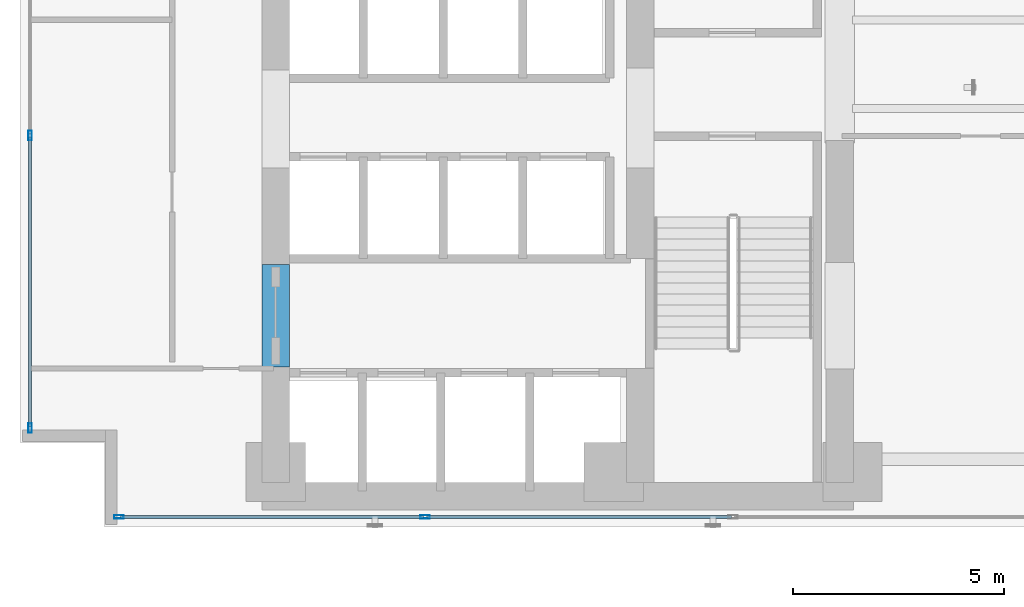
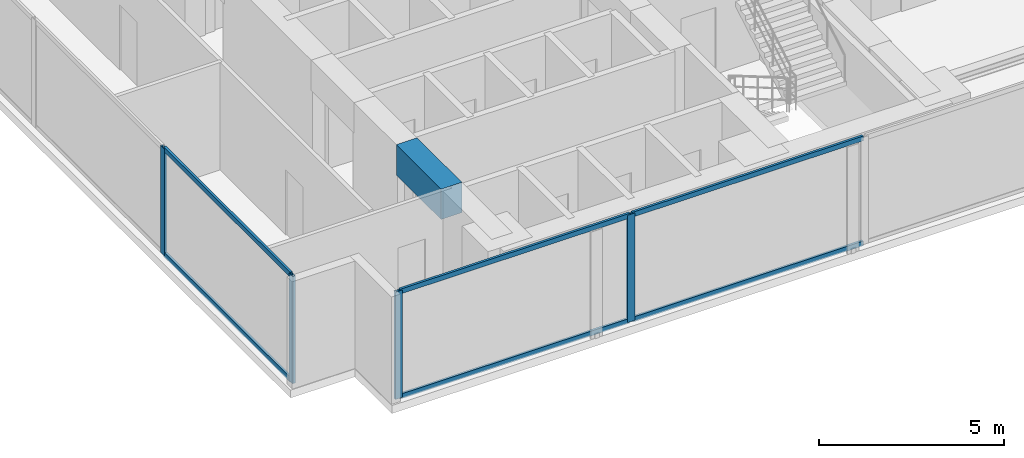
# One storey, part 2 of 26: 10 members, 1 beam, 2 elements without a shape of their own.
"""IFC4 building model written with IfcOpenShell, lengths in metres."""

import ifcopenshell
import ifcopenshell.guid

model = None  # the IFC model being written
_history = None  # IfcOwnerHistory: only IFC2X3 demands one
_inside = {}  # id of a spatial element -> (the spatial element, [elements in it])
_under = {}  # id of a project, library or spatial element -> (it, [spatial elements below it])
_declared = {}  # id of a project -> (the project, [libraries it declares])
_typed = {}  # id of a type object -> (the type object, [elements of that type])
_made_of = {}  # id of a material, layer set ... -> (it, [elements and type objects made of it])


def new_model(schema):
    """Start an empty IFC model of exactly this schema.

    Asked for "IFC4X3", IfcOpenShell would pick the latest addendum, in which some entities
    have other attributes; the version numbers below select the first issue.
    IFC2X3 requires an IfcOwnerHistory on every rooted entity: one is made here for all.
    """
    global model, _history
    if schema == "IFC4X3":
        model = ifcopenshell.file(schema_version=(4, 3, 0, 0))
    else:
        model = ifcopenshell.file(schema=schema)
    _inside.clear()
    _under.clear()
    _declared.clear()
    _typed.clear()
    _made_of.clear()
    _history = None
    if model.schema == "IFC2X3":
        org = make("IfcOrganization", Name="unknown")
        user = make(
            "IfcPersonAndOrganization",
            ThePerson=make("IfcPerson", FamilyName="unknown"),
            TheOrganization=org,
        )
        app = make(
            "IfcApplication",
            ApplicationDeveloper=org,
            Version="unknown",
            ApplicationFullName="unknown",
            ApplicationIdentifier="unknown",
        )
        _history = make(
            "IfcOwnerHistory",
            OwningUser=user,
            OwningApplication=app,
            ChangeAction="ADDED",
            CreationDate=0,
        )
    return model


def make(cls, **values):
    """One entity of the class cls with the attributes given. An attribute that is None is left unset."""
    return model.create_entity(
        cls, **{name: value for name, value in values.items() if value is not None}
    )


def rooted(cls, **values):
    """An entity with a GlobalId (a new one), such as an element, a storey or a relation."""
    return make(cls, GlobalId=ifcopenshell.guid.new(), OwnerHistory=_history, **values)


def si_unit(unit_type, name, prefix=None):
    """IfcSIUnit, for example si_unit("LENGTHUNIT", "METRE", prefix="MILLI")."""
    return make("IfcSIUnit", UnitType=unit_type, Prefix=prefix, Name=name)


def assignment(units):
    """IfcUnitAssignment: the units of a project."""
    return None if units is None else make("IfcUnitAssignment", Units=units)


def point(xyz):
    """IfcCartesianPoint."""
    return None if xyz is None else make("IfcCartesianPoint", Coordinates=xyz)


def direction(xyz):
    """IfcDirection."""
    return None if xyz is None else make("IfcDirection", DirectionRatios=xyz)


def frame(location, z_axis=None, x_axis=None):
    """IfcAxis2Placement3D, a coordinate frame: its origin and axes. An axis left out is left unset."""
    return make(
        "IfcAxis2Placement3D",
        Location=point(location),
        Axis=direction(z_axis),
        RefDirection=direction(x_axis),
    )


def frame_2d(location, x_axis=None):
    """IfcAxis2Placement2D, a coordinate frame in the plane: its origin and x axis."""
    return make(
        "IfcAxis2Placement2D", Location=point(location), RefDirection=direction(x_axis)
    )


def origin():
    """The frame at (0, 0, 0) with its axes left unset."""
    return frame((0.0, 0.0, 0.0))


def origin_with_axes():
    """The frame at (0, 0, 0) with the z axis (0, 0, 1) and the x axis (1, 0, 0) written out."""
    return frame((0.0, 0.0, 0.0), z_axis=(0.0, 0.0, 1.0), x_axis=(1.0, 0.0, 0.0))


def origin_2d():
    """The frame at (0, 0) in the plane with its x axis left unset."""
    return frame_2d((0.0, 0.0))


def place(relative_to, where):
    """IfcLocalPlacement: puts the frame where relative to a parent placement (None: the world)."""
    return make(
        "IfcLocalPlacement", PlacementRelTo=relative_to, RelativePlacement=where
    )


def context(
    kind, dimensions, precision=None, world=None, true_north=None, identifier=None
):
    """IfcGeometricRepresentationContext, for example the 3D "Model" context."""
    return make(
        "IfcGeometricRepresentationContext",
        ContextIdentifier=identifier,
        ContextType=kind,
        CoordinateSpaceDimension=dimensions,
        Precision=precision,
        WorldCoordinateSystem=world,
        TrueNorth=true_north,
    )


def subcontext(parent, identifier, kind, view, scale=None):
    """IfcGeometricRepresentationSubContext, for example "Body" below "Model"."""
    return make(
        "IfcGeometricRepresentationSubContext",
        ContextIdentifier=identifier,
        ContextType=kind,
        ParentContext=parent,
        TargetScale=scale,
        TargetView=view,
    )


def project(units=None, contexts=None):
    """IfcProject with its units and contexts."""
    return rooted(
        "IfcProject",
        Name="project",
        RepresentationContexts=contexts,
        UnitsInContext=assignment(units),
    )


def spatial(cls, under=None, at=None, **own):
    """A site, building, storey or space (cls), placed at a placement, below another one or the project."""
    s = rooted(cls, ObjectPlacement=at, **own)
    if under is not None:
        _under.setdefault(under.id(), (under, []))[1].append(s)
    return s


def profile(cls, at=None, kind="AREA", **sizes):
    """A parametric profile (cls). Its sizes go by their IFC names, for example OverallWidth=200.0."""
    return make(cls, ProfileType=kind, Position=at, **sizes)


def rectangle(**sizes):
    """IfcRectangleProfileDef."""
    return profile("IfcRectangleProfileDef", **sizes)


def hollow_rectangle(**sizes):
    """IfcRectangleHollowProfileDef."""
    return profile("IfcRectangleHollowProfileDef", **sizes)


def extrude(swept, where, along, depth):
    """IfcExtrudedAreaSolid: the profile swept, set in the frame where, extruded along a direction by depth."""
    return make(
        "IfcExtrudedAreaSolid",
        SweptArea=swept,
        Position=where,
        ExtrudedDirection=direction(along),
        Depth=depth,
    )


def shape(context_of_items, identifier, shape_type, items):
    """IfcShapeRepresentation: the items that make up one representation, for example the "Body"."""
    return make(
        "IfcShapeRepresentation",
        ContextOfItems=context_of_items,
        RepresentationIdentifier=identifier,
        RepresentationType=shape_type,
        Items=items,
    )


def source(mapping_origin, context_of_items, identifier, shape_type, items):
    """IfcRepresentationMap: a shape defined once, which mapped items show again and again."""
    return make(
        "IfcRepresentationMap",
        MappingOrigin=mapping_origin,
        MappedRepresentation=shape(context_of_items, identifier, shape_type, items),
    )


def transform(
    local_origin,
    x_axis=None,
    y_axis=None,
    z_axis=None,
    scale=None,
    scale2=None,
    scale3=None,
    uniform=True,
):
    """IfcCartesianTransformationOperator3D, or its non-uniform kind. x_axis, y_axis, z_axis: its Axis1, 2, 3."""
    if uniform:
        return make(
            "IfcCartesianTransformationOperator3D",
            Axis1=direction(x_axis),
            Axis2=direction(y_axis),
            LocalOrigin=point(local_origin),
            Scale=scale,
            Axis3=direction(z_axis),
        )
    return make(
        "IfcCartesianTransformationOperator3DnonUniform",
        Axis1=direction(x_axis),
        Axis2=direction(y_axis),
        LocalOrigin=point(local_origin),
        Scale=scale,
        Axis3=direction(z_axis),
        Scale2=scale2,
        Scale3=scale3,
    )


def mapped(mapping_source, mapping_target):
    """IfcMappedItem: shows the shape of a source again, moved by a transform."""
    return make(
        "IfcMappedItem", MappingSource=mapping_source, MappingTarget=mapping_target
    )


def material(Name=None, Category=None):
    """IfcMaterial."""
    return make("IfcMaterial", Name=Name, Category=Category)


def layer(
    of_material, thickness, ventilated=None, Name=None, Category=None, Priority=None
):
    """IfcMaterialLayer: one layer of a wall or slab, of a material (None: an air gap)."""
    return make(
        "IfcMaterialLayer",
        Material=of_material,
        LayerThickness=thickness,
        IsVentilated=ventilated,
        Name=Name,
        Category=Category,
        Priority=Priority,
    )


def layer_set(layers, Name=None):
    """IfcMaterialLayerSet."""
    return make("IfcMaterialLayerSet", MaterialLayers=layers, LayerSetName=Name)


def material_profile(
    of_material, cross_section, Name=None, Category=None, Priority=None
):
    """IfcMaterialProfile: a cross section and its material."""
    return make(
        "IfcMaterialProfile",
        Name=Name,
        Material=of_material,
        Profile=cross_section,
        Priority=Priority,
        Category=Category,
    )


def profile_set(profiles, Name=None, composite=None):
    """IfcMaterialProfileSet."""
    return make(
        "IfcMaterialProfileSet",
        Name=Name,
        MaterialProfiles=profiles,
        CompositeProfile=composite,
    )


def made_of(thing, what):
    """Note that an element or type object is made of a material, layer set ...; save() writes the relation."""
    if what is not None:
        _made_of.setdefault(what.id(), (what, []))[1].append(thing)
    return thing


def type_object(cls, material=None, **own):
    """A type object (cls), such as IfcWallType, which elements share."""
    return made_of(rooted(cls, **own), material)


def element(
    cls,
    number,
    at=None,
    inside=None,
    cuts=None,
    type_object=None,
    material=None,
    context=None,
    identifier="Body",
    shape_type=None,
    held_by="IfcProductDefinitionShape",
    body=None,
    shapes=None,
    **own,
):
    """One element of the class cls, such as IfcWall. Its Tag is "e" and its number.

    at: its placement. inside: the storey or other place that contains it. cuts: it is an
    opening in that element (IfcRelVoidsElement). A single representation is given by context,
    identifier, shape_type and body (its items); several are given by shapes. held_by: the class
    of the entity that holds the representations. save() writes the other relations.
    """
    e = rooted(cls, Tag="e%d" % number, ObjectPlacement=at, **own)
    if body is not None:
        shapes = [shape(context, identifier, shape_type, body)]
    if shapes is not None:
        e.Representation = make(held_by, Representations=shapes)
    if inside is not None:
        _inside.setdefault(inside.id(), (inside, []))[1].append(e)
    if cuts is not None:
        rooted(
            "IfcRelVoidsElement", RelatingBuildingElement=cuts, RelatedOpeningElement=e
        )
    if type_object is not None:
        _typed.setdefault(type_object.id(), (type_object, []))[1].append(e)
    return made_of(e, material)


def aggregate(whole, parts):
    """IfcRelAggregates: a whole, such as a stair, and the parts it consists of."""
    return rooted("IfcRelAggregates", RelatingObject=whole, RelatedObjects=parts)


def save(model, path):
    """Write the relations noted so far, then the file.

    IfcRelAggregates (storeys below a building ...), IfcRelContainedInSpatialStructure (elements
    in a storey), IfcRelDefinesByType, IfcRelAssociatesMaterial and IfcRelDeclares: one each for
    every whole, place, type object, material and project.
    """
    for whole, parts in _under.values():
        aggregate(whole, parts)
    for where, things in _inside.values():
        rooted(
            "IfcRelContainedInSpatialStructure",
            RelatedElements=things,
            RelatingStructure=where,
        )
    for kind, things in _typed.values():
        rooted("IfcRelDefinesByType", RelatedObjects=things, RelatingType=kind)
    for what, things in _made_of.values():
        rooted("IfcRelAssociatesMaterial", RelatedObjects=things, RelatingMaterial=what)
    for by, libraries in _declared.values():
        rooted("IfcRelDeclares", RelatingContext=by, RelatedDefinitions=libraries)
    model.write(path)


model = new_model("IFC4")

# Units and contexts
model_context = context("Model", 3, precision=1e-05, world=origin(), true_north=direction((0.0, 1.0)))
body_context = subcontext(model_context, "Body", "Model", "MODEL_VIEW")
ifc_project = project(units=[si_unit("LENGTHUNIT", "METRE"), si_unit("AREAUNIT", "SQUARE_METRE"), si_unit("VOLUMEUNIT", "CUBIC_METRE"), si_unit("PLANEANGLEUNIT", "RADIAN"), si_unit("MASSUNIT", "GRAM", prefix="KILO")], contexts=[model_context])

# Site, building, storey
site_placement = place(None, origin())
site = spatial("IfcSite", under=ifc_project, at=site_placement, CompositionType="ELEMENT")
building_placement = place(site_placement, origin())
building = spatial("IfcBuilding", under=site, at=building_placement, Name="Kolvaren Waterfront Exchange", CompositionType="ELEMENT")
storey_placement = place(building_placement, frame((0.0, 0.0, 99.300048828125)))
storey = spatial("IfcBuildingStorey", under=building, at=storey_placement, Name="L25", CompositionType="ELEMENT", Elevation=99.300048828125)

# Beam
ifc_material_1 = material(Name="Concrete C60/75", Category="concrete")
ifc_material_profile_1 = material_profile(ifc_material_1, rectangle(XDim=0.64990234375, YDim=1.0, at=origin_2d()), Name="RC-CB-1000x650")
ifc_profile_set_1 = profile_set([ifc_material_profile_1], Name="Concrete C60/75")
beam_type = type_object("IfcBeamType", Name="STR-CB-1000", PredefinedType="SPANDREL", material=ifc_profile_set_1)
beam_placement = place(storey_placement, frame((7.449951171875, 7.389892578125, 3.0400390625), z_axis=(0.0, 1.0, 0.0), x_axis=(-1.0, 0.0, 0.0)))
element("IfcBeam", 1, at=beam_placement, inside=storey, type_object=beam_type, Name="L25 core coupling beam 3", PredefinedType="SPANDREL", context=body_context, shape_type="SweptSolid", body=[
    extrude(rectangle(XDim=0.64990234375, YDim=1.0, at=origin_2d()), origin(), (0.0, 0.0, 1.0), 2.420166015625),
])

# Curtain wall, members
ifc_material_2 = material(Name="Anodised bronze aluminium 6063-T6", Category="aluminium")
ifc_layer_1 = layer(ifc_material_2, 0.219970703125, Name="Anodised bronze aluminium 6063-T6")
ifc_layer_set_1 = layer_set([ifc_layer_1], Name="Anodised bronze aluminium 6063-T6")
curtain_wall_type_1 = type_object("IfcCurtainWallType", Name="ARC-CW-SYS1", PredefinedType="USERDEFINED", material=ifc_layer_set_1)
curtain_wall_1_placement = place(storey_placement, origin())
curtain_wall_1 = element("IfcCurtainWall", 2, at=curtain_wall_1_placement, inside=storey, type_object=curtain_wall_type_1, Name="L25 stick curtain wall CW1 (CW-L25-S)", ObjectType="STICK CURTAIN WALL", PredefinedType="USERDEFINED")
ifc_material_3 = material(Name="Anodised aluminium 6063-T6", Category="aluminium")
ifc_material_profile_2 = material_profile(ifc_material_3, hollow_rectangle(XDim=0.080078125, YDim=0.219970703125, WallThickness=0.0048828125, at=origin_2d()), Name="ALU-MUL-220x80x5")
ifc_profile_set_2 = profile_set([ifc_material_profile_2], Name="Anodised aluminium 6063-T6")
member_type_1 = type_object("IfcMemberType", Name="ARC-CWM-220", PredefinedType="MULLION", material=ifc_profile_set_2)
shared_shape_1 = source(origin_with_axes(), body_context, "Body", "SweptSolid", [
    extrude(hollow_rectangle(XDim=0.080078125, YDim=0.219970703125, WallThickness=0.0048828125, at=origin_2d()), origin(), (0.0, 0.0, 1.0), 3.5400390625),
])
member_1_placement = place(storey_placement, frame((3.739990234375, 3.840087890625, 0.0), z_axis=(0.0, 0.0, 1.0), x_axis=(0.0, 1.0, 0.0)))
member_1 = element("IfcMember", 3, at=member_1_placement, type_object=member_type_1, Name="CW1 mullion 1", PredefinedType="MULLION", context=body_context, shape_type="MappedRepresentation", body=[
    mapped(shared_shape_1, transform((0.0, 0.0, 0.0), x_axis=(1.0, 0.0, 0.0), y_axis=(0.0, 1.0, 0.0), z_axis=(0.0, 0.0, 1.0), scale=1.0)),
])
member_2_placement = place(storey_placement, frame((10.985595703125, 3.840087890625, 0.0), z_axis=(0.0, 0.0, 1.0), x_axis=(0.0, 1.0, 0.0)))
member_2 = element("IfcMember", 4, at=member_2_placement, type_object=member_type_1, Name="CW1 mullion 2", PredefinedType="MULLION", context=body_context, shape_type="MappedRepresentation", body=[
    mapped(shared_shape_1, transform((0.0, 0.0, 0.0), x_axis=(1.0, 0.0, 0.0), y_axis=(0.0, 1.0, 0.0), z_axis=(0.0, 0.0, 1.0), scale=1.0)),
])

ifc_layer_2 = layer(ifc_material_3, 0.219970703125, Name="Anodised aluminium 6063-T6")
ifc_layer_set_2 = layer_set([ifc_layer_2], Name="Anodised aluminium 6063-T6")
curtain_wall_type_2 = type_object("IfcCurtainWallType", Name="ARC-CW-SYS2", PredefinedType="USERDEFINED", material=ifc_layer_set_2)
curtain_wall_2_placement = place(storey_placement, origin())
curtain_wall_2 = element("IfcCurtainWall", 5, at=curtain_wall_2_placement, inside=storey, type_object=curtain_wall_type_2, Name="L25 stick curtain wall CW2 (CW-L25-W)", ObjectType="STICK CURTAIN WALL", PredefinedType="USERDEFINED")
member_3_placement = place(storey_placement, frame((1.639892578125, 5.93994140625, 0.0), z_axis=(0.0, 0.0, 1.0), x_axis=(-1.0, 0.0, 0.0)))
member_3 = element("IfcMember", 6, at=member_3_placement, type_object=member_type_1, Name="CW2 mullion 1", PredefinedType="MULLION", context=body_context, shape_type="MappedRepresentation", body=[
    mapped(shared_shape_1, transform((0.0, 0.0, 0.0), x_axis=(1.0, 0.0, 0.0), y_axis=(0.0, 1.0, 0.0), z_axis=(0.0, 0.0, 1.0), scale=1.0)),
])
member_4_placement = place(storey_placement, frame((1.639892578125, 12.86669921875, 0.0), z_axis=(0.0, 0.0, 1.0), x_axis=(-1.0, 0.0, 0.0)))
member_4 = element("IfcMember", 7, at=member_4_placement, type_object=member_type_1, Name="CW2 mullion 2", PredefinedType="MULLION", context=body_context, shape_type="MappedRepresentation", body=[
    mapped(shared_shape_1, transform((0.0, 0.0, 0.0), x_axis=(1.0, 0.0, 0.0), y_axis=(0.0, 1.0, 0.0), z_axis=(0.0, 0.0, 1.0), scale=1.0)),
])
ifc_material_profile_3 = material_profile(ifc_material_3, hollow_rectangle(XDim=0.074951171875, YDim=0.159912109375, WallThickness=0.00439453125, at=origin_2d()), Name="ALU-TRN-160x75x4.5")
ifc_profile_set_3 = profile_set([ifc_material_profile_3], Name="Anodised aluminium 6063-T6")
member_type_2 = type_object("IfcMemberType", Name="ARC-CWT-160", PredefinedType="USERDEFINED", material=ifc_profile_set_3)
shared_shape_2 = source(origin_with_axes(), body_context, "Body", "SweptSolid", [
    extrude(hollow_rectangle(XDim=0.074951171875, YDim=0.159912109375, WallThickness=0.00439453125, at=origin_2d()), origin(), (0.0, 0.0, 1.0), 6.8466796875),
])
member_5_placement = place(storey_placement, frame((1.639892578125, 5.97998046875, 0.037353515625), z_axis=(0.0, 1.0, 0.0), x_axis=(-1.0, 0.0, 0.0)))
member_5 = element("IfcMember", 8, at=member_5_placement, type_object=member_type_2, Name="CW2 transom 1.1", ObjectType="TRANSOM", PredefinedType="USERDEFINED", context=body_context, shape_type="MappedRepresentation", body=[
    mapped(shared_shape_2, transform((0.0, 0.0, 0.0), x_axis=(1.0, 0.0, 0.0), y_axis=(0.0, 1.0, 0.0), z_axis=(0.0, 0.0, 1.0), scale=1.0)),
])
member_6_placement = place(storey_placement, frame((1.639892578125, 5.97998046875, 3.50244140625), z_axis=(0.0, 1.0, 0.0), x_axis=(-1.0, 0.0, 0.0)))
member_6 = element("IfcMember", 9, at=member_6_placement, type_object=member_type_2, Name="CW2 transom 1.2", ObjectType="TRANSOM", PredefinedType="USERDEFINED", context=body_context, shape_type="MappedRepresentation", body=[
    mapped(shared_shape_2, transform((0.0, 0.0, 0.0), x_axis=(1.0, 0.0, 0.0), y_axis=(0.0, 1.0, 0.0), z_axis=(0.0, 0.0, 1.0), scale=1.0)),
])
aggregate(curtain_wall_2, [member_3, member_4, member_5, member_6])

# Member
shared_shape_3 = source(origin_with_axes(), body_context, "Body", "SweptSolid", [
    extrude(hollow_rectangle(XDim=0.074951171875, YDim=0.159912109375, WallThickness=0.00439453125, at=origin_2d()), origin(), (0.0, 0.0, 1.0), 7.165771484375),
])
member_7_placement = place(storey_placement, frame((3.780029296875, 3.840087890625, 0.037353515625), z_axis=(1.0, 0.0, 0.0), x_axis=(0.0, 1.0, 0.0)))
member_7 = element("IfcMember", 10, at=member_7_placement, type_object=member_type_2, Name="CW1 transom 1.1", ObjectType="TRANSOM", PredefinedType="USERDEFINED", context=body_context, shape_type="MappedRepresentation", body=[
    mapped(shared_shape_3, transform((0.0, 0.0, 0.0), x_axis=(1.0, 0.0, 0.0), y_axis=(0.0, 1.0, 0.0), z_axis=(0.0, 0.0, 1.0), scale=1.0)),
])

member_8_placement = place(storey_placement, frame((3.780029296875, 3.840087890625, 3.50244140625), z_axis=(1.0, 0.0, 0.0), x_axis=(0.0, 1.0, 0.0)))
member_8 = element("IfcMember", 11, at=member_8_placement, type_object=member_type_2, Name="CW1 transom 1.2", ObjectType="TRANSOM", PredefinedType="USERDEFINED", context=body_context, shape_type="MappedRepresentation", body=[
    mapped(shared_shape_3, transform((0.0, 0.0, 0.0), x_axis=(1.0, 0.0, 0.0), y_axis=(0.0, 1.0, 0.0), z_axis=(0.0, 0.0, 1.0), scale=1.0)),
])

shared_shape_4 = source(origin_with_axes(), body_context, "Body", "SweptSolid", [
    extrude(hollow_rectangle(XDim=0.074951171875, YDim=0.159912109375, WallThickness=0.00439453125, at=origin_2d()), origin(), (0.0, 0.0, 1.0), 7.205810546875),
])
member_9_placement = place(storey_placement, frame((11.025634765625, 3.840087890625, 0.037353515625), z_axis=(1.0, 0.0, 0.0), x_axis=(0.0, 1.0, 0.0)))
member_9 = element("IfcMember", 12, at=member_9_placement, type_object=member_type_2, Name="CW1 transom 2.1", ObjectType="TRANSOM", PredefinedType="USERDEFINED", context=body_context, shape_type="MappedRepresentation", body=[
    mapped(shared_shape_4, transform((0.0, 0.0, 0.0), x_axis=(1.0, 0.0, 0.0), y_axis=(0.0, 1.0, 0.0), z_axis=(0.0, 0.0, 1.0), scale=1.0)),
])

member_10_placement = place(storey_placement, frame((11.025634765625, 3.840087890625, 3.50244140625), z_axis=(1.0, 0.0, 0.0), x_axis=(0.0, 1.0, 0.0)))
member_10 = element("IfcMember", 13, at=member_10_placement, type_object=member_type_2, Name="CW1 transom 2.2", ObjectType="TRANSOM", PredefinedType="USERDEFINED", context=body_context, shape_type="MappedRepresentation", body=[
    mapped(shared_shape_4, transform((0.0, 0.0, 0.0), x_axis=(1.0, 0.0, 0.0), y_axis=(0.0, 1.0, 0.0), z_axis=(0.0, 0.0, 1.0), scale=1.0)),
])

aggregate(curtain_wall_1, [member_1, member_2, member_7, member_8, member_9, member_10])

save(model, "model.ifc")
